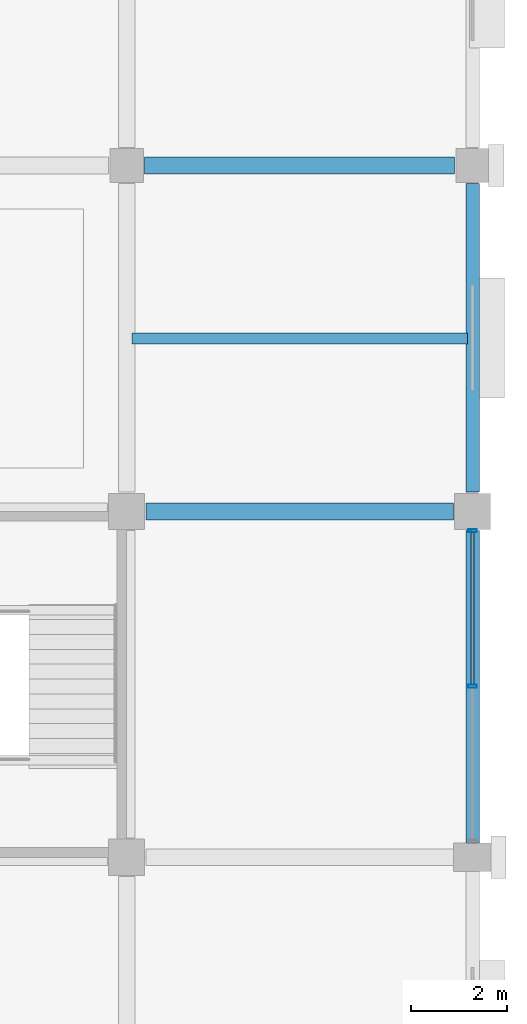
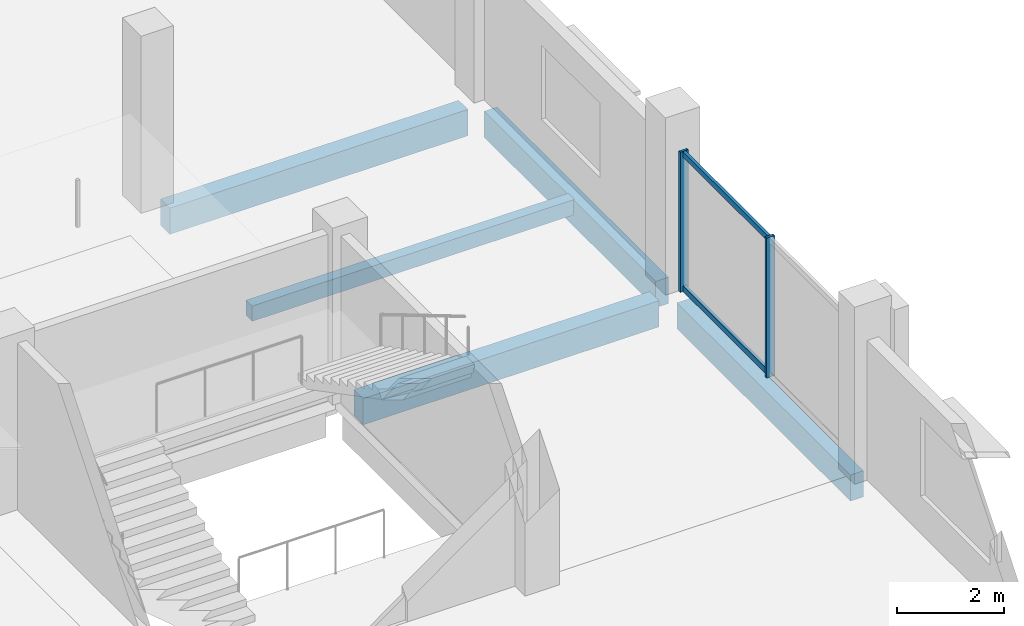
# One storey, part 62 of 108: 5 beams, 4 members, 1 element without a shape of its own.
"""IFC4 building model written with IfcOpenShell, lengths in metres."""

from ifc_helpers import new_model, si_unit, direction, frame, origin, origin_2d, place, context, subcontext, project, spatial, rectangle, hollow_rectangle, extrude, material, layer, layer_set, material_profile, profile_set, type_object, element, aggregate, save


model = new_model("IFC4")

# Units and contexts
model_context = context("Model", 3, precision=1e-05, world=origin(), true_north=direction((0.0, 1.0)))
body_context = subcontext(model_context, "Body", "Model", "MODEL_VIEW")
ifc_project = project(units=[si_unit("LENGTHUNIT", "METRE"), si_unit("AREAUNIT", "SQUARE_METRE"), si_unit("VOLUMEUNIT", "CUBIC_METRE"), si_unit("PLANEANGLEUNIT", "RADIAN"), si_unit("MASSUNIT", "GRAM", prefix="KILO")], contexts=[model_context])

# Site, building, storey
site_placement = place(None, origin())
site = spatial("IfcSite", under=ifc_project, at=site_placement, CompositionType="ELEMENT")
building_placement = place(site_placement, origin())
building = spatial("IfcBuilding", under=site, at=building_placement, Name="Kangsadwip Square Police Headquarters", CompositionType="ELEMENT")
storey_placement = place(building_placement, frame((0.0, 0.0, 9.449951171875)))
storey = spatial("IfcBuildingStorey", under=building, at=storey_placement, Name="L02", CompositionType="ELEMENT", Elevation=9.449951171875)

# Curtain wall, members
ifc_material_1 = material(Name="Thermally broken anodised aluminium AW-6063-T6", Category="aluminium")
ifc_layer = layer(ifc_material_1, 0.159912109375)
ifc_layer_set = layer_set([ifc_layer], Name="Thermally broken anodised aluminium AW-6063-T6")
curtain_wall_type = type_object("IfcCurtainWallType", Name="UnitisedCw6535x3200", PredefinedType="NOTDEFINED", material=ifc_layer_set)
curtain_wall_placement = place(storey_placement, origin())
curtain_wall = element("IfcCurtainWall", 1, at=curtain_wall_placement, inside=storey, type_object=curtain_wall_type, Name="Curtain Wall CW-L02-1656-0939", PredefinedType="NOTDEFINED")
ifc_material_2 = material(Name="Thermally broken anodised aluminium AW-6063-T6", Category="aluminium")
ifc_material_profile_1 = material_profile(ifc_material_2, hollow_rectangle(XDim=0.06494140625, YDim=0.179931640625, WallThickness=0.00390625, at=origin_2d()), Name="CWM 180X65X4")
ifc_profile_set_1 = profile_set([ifc_material_profile_1], Name="Thermally broken anodised aluminium AW-6063-T6")
member_type_1 = type_object("IfcMemberType", Name="CwMullion160x65", PredefinedType="MULLION", material=ifc_profile_set_1)
member_1_placement = place(storey_placement, frame((165.60009765625, 97.16259765625, 0.0), z_axis=(0.0, 0.0, 1.0), x_axis=(0.0, 1.0, 0.0)))
member_1 = element("IfcMember", 2, at=member_1_placement, type_object=member_type_1, Name="CW-34 mullion 2", PredefinedType="MULLION", context=body_context, shape_type="SweptSolid", body=[
    extrude(hollow_rectangle(XDim=0.06494140625, YDim=0.179931640625, WallThickness=0.00390625, at=origin_2d()), origin(), (0.0, 0.0, 1.0), 3.199951171875),
])
member_2_placement = place(storey_placement, frame((165.60009765625, 100.3974609375, 0.0), z_axis=(0.0, 0.0, 1.0), x_axis=(0.0, 1.0, 0.0)))
member_2 = element("IfcMember", 3, at=member_2_placement, type_object=member_type_1, Name="CW-34 mullion 3", PredefinedType="MULLION", context=body_context, shape_type="SweptSolid", body=[
    extrude(hollow_rectangle(XDim=0.06494140625, YDim=0.179931640625, WallThickness=0.00390625, at=origin_2d()), origin(), (0.0, 0.0, 1.0), 3.199951171875),
])
ifc_material_3 = material(Name="Thermally broken anodised aluminium AW-6063-T6", Category="aluminium")
ifc_material_profile_2 = material_profile(ifc_material_3, hollow_rectangle(XDim=0.06494140625, YDim=0.1298828125, WallThickness=0.00390625, at=origin_2d()), Name="CWT 130X65X4")
ifc_profile_set_2 = profile_set([ifc_material_profile_2], Name="Thermally broken anodised aluminium AW-6063-T6")
member_type_2 = type_object("IfcMemberType", Name="CwTransom140x60", PredefinedType="USERDEFINED", material=ifc_profile_set_2)
member_3_placement = place(storey_placement, frame((165.60009765625, 97.195068359375, 0.06494140625), z_axis=(0.0, 1.0, 0.0), x_axis=(-1.0, 0.0, 0.0)))
member_3 = element("IfcMember", 4, at=member_3_placement, type_object=member_type_2, Name="CW-34 transom 2.1", ObjectType="TRANSOM", PredefinedType="USERDEFINED", context=body_context, shape_type="SweptSolid", body=[
    extrude(hollow_rectangle(XDim=0.06494140625, YDim=0.1298828125, WallThickness=0.00390625, at=origin_2d()), origin(), (0.0, 0.0, 1.0), 3.169921875),
])
member_4_placement = place(storey_placement, frame((165.60009765625, 97.195068359375, 3.135009765625), z_axis=(0.0, 1.0, 0.0), x_axis=(-1.0, 0.0, 0.0)))
member_4 = element("IfcMember", 5, at=member_4_placement, type_object=member_type_2, Name="CW-34 transom 2.2", ObjectType="TRANSOM", PredefinedType="USERDEFINED", context=body_context, shape_type="SweptSolid", body=[
    extrude(hollow_rectangle(XDim=0.06494140625, YDim=0.1298828125, WallThickness=0.00390625, at=origin_2d()), origin(), (0.0, 0.0, 1.0), 3.169921875),
])
aggregate(curtain_wall, [member_1, member_2, member_3, member_4])

# Beams
ifc_material_4 = material(Name="Concrete M35 (35 MPa)", Category="concrete")
ifc_material_profile_3 = material_profile(ifc_material_4, rectangle(XDim=0.35009765625, YDim=0.60009765625, at=origin_2d()), Name="RC BM 600X350")
ifc_profile_set_3 = profile_set([ifc_material_profile_3], Name="Concrete M35 (35 MPa)")
beam_type_1 = type_object("IfcBeamType", Name="RcBeam600x350", PredefinedType="BEAM", material=ifc_profile_set_3)
beam_1_placement = place(storey_placement, frame((158.800048828125, 100.800048828125, -0.5400390625), z_axis=(1.0, 0.0, 0.0), x_axis=(0.0, 1.0, 0.0)))
element("IfcBeam", 6, at=beam_1_placement, inside=storey, type_object=beam_type_1, Name="Beam BM-L02-X-22-14", PredefinedType="BEAM", context=body_context, shape_type="SweptSolid", body=[
    extrude(rectangle(XDim=0.35009765625, YDim=0.60009765625, at=origin_2d()), origin(), (0.0, 0.0, 1.0), 6.39990234375),
])
beam_2_placement = place(storey_placement, frame((158.77490234375, 108.0, -0.5400390625), z_axis=(1.0, 0.0, 0.0), x_axis=(0.0, 1.0, 0.0)))
element("IfcBeam", 7, at=beam_2_placement, inside=storey, type_object=beam_type_1, Name="Beam BM-L02-X-22-15", PredefinedType="BEAM", context=body_context, shape_type="SweptSolid", body=[
    extrude(rectangle(XDim=0.35009765625, YDim=0.60009765625, at=origin_2d()), origin(), (0.0, 0.0, 1.0), 6.4501953125),
])
ifc_material_5 = material(Name="Concrete M35 (35 MPa)", Category="concrete")
ifc_material_profile_4 = material_profile(ifc_material_5, rectangle(XDim=0.22998046875, YDim=0.35009765625, at=origin_2d()), Name="RC JST 350X230")
ifc_profile_set_4 = profile_set([ifc_material_profile_4], Name="Concrete M35 (35 MPa)")
beam_type_2 = type_object("IfcBeamType", Name="RcJoist350x230", PredefinedType="JOIST", material=ifc_profile_set_4)
beam_3_placement = place(storey_placement, frame((158.510009765625, 104.39990234375, -0.4150390625), z_axis=(1.0, 0.0, 0.0), x_axis=(0.0, 1.0, 0.0)))
element("IfcBeam", 8, at=beam_3_placement, inside=storey, type_object=beam_type_2, Name="Secondary Joist JST-L02-22-14", PredefinedType="JOIST", context=body_context, shape_type="SweptSolid", body=[
    extrude(rectangle(XDim=0.22998046875, YDim=0.35009765625, at=origin_2d()), origin(), (0.0, 0.0, 1.0), 6.97998046875),
])
ifc_material_6 = material(Name="Concrete M40 (40 MPa)", Category="concrete")
ifc_material_profile_5 = material_profile(ifc_material_6, rectangle(XDim=0.280029296875, YDim=0.60009765625, at=origin_2d()), Name="RC SPN 600X280")
ifc_profile_set_5 = profile_set([ifc_material_profile_5], Name="Concrete M40 (40 MPa)")
beam_type_3 = type_object("IfcBeamType", Name="RcSpandrel600x280", PredefinedType="SPANDREL", material=ifc_profile_set_5)
beam_4_placement = place(storey_placement, frame((165.60009765625, 93.89990234375, -0.5400390625), z_axis=(0.0, 1.0, 0.0), x_axis=(-1.0, 0.0, 0.0)))
element("IfcBeam", 9, at=beam_4_placement, inside=storey, type_object=beam_type_3, Name="Beam BM-L02-Y-23-13", PredefinedType="SPANDREL", context=body_context, shape_type="SweptSolid", body=[
    extrude(rectangle(XDim=0.280029296875, YDim=0.60009765625, at=origin_2d()), origin(), (0.0, 0.0, 1.0), 6.5),
])
beam_5_placement = place(storey_placement, frame((165.60009765625, 101.199951171875, -0.5400390625), z_axis=(0.0, 1.0, 0.0), x_axis=(-1.0, 0.0, 0.0)))
element("IfcBeam", 10, at=beam_5_placement, inside=storey, type_object=beam_type_3, Name="Beam BM-L02-Y-23-14", PredefinedType="SPANDREL", context=body_context, shape_type="SweptSolid", body=[
    extrude(rectangle(XDim=0.280029296875, YDim=0.60009765625, at=origin_2d()), origin(), (0.0, 0.0, 1.0), 6.425048828125),
])

save(model, "model.ifc")
